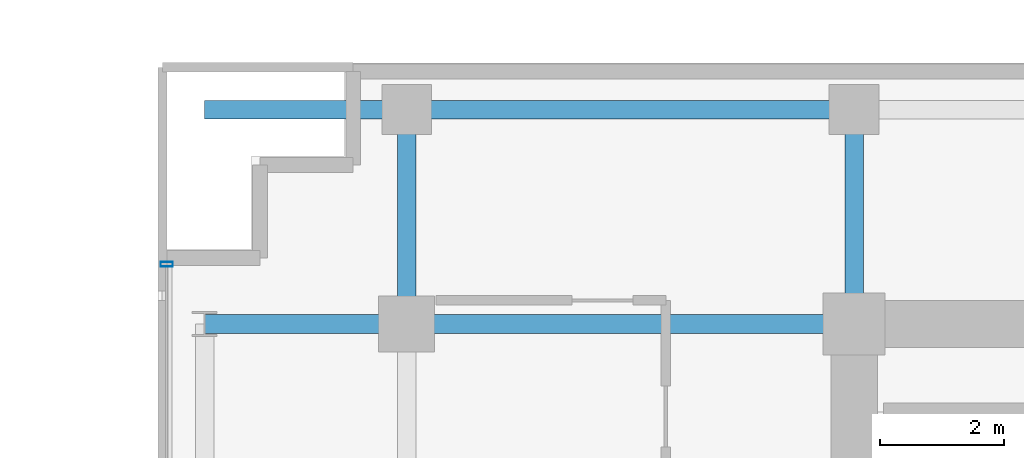
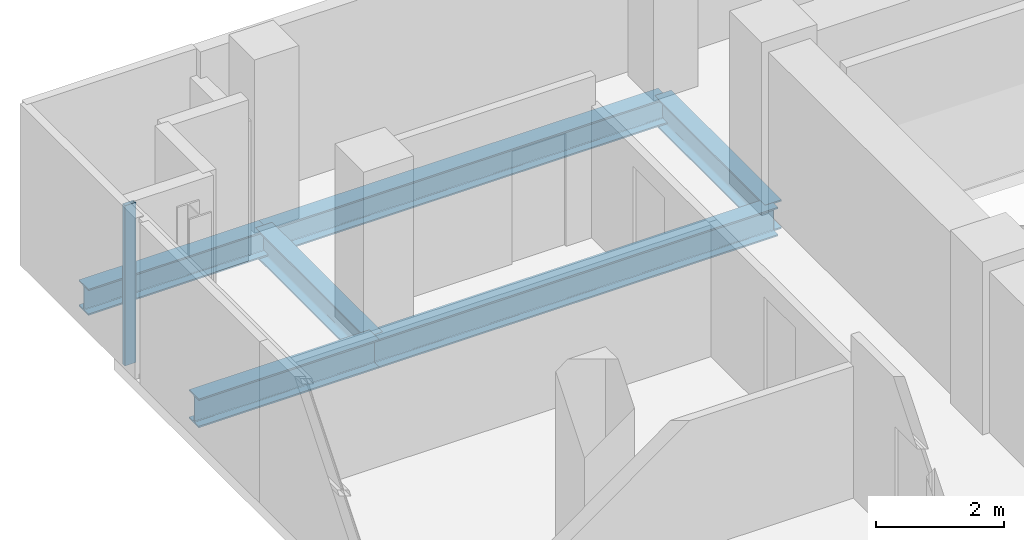
# One storey, part 10 of 23: 6 beams, 1 member, 1 element without a shape of its own.
"""IFC4 building model written with IfcOpenShell, lengths in metres."""

from ifc_helpers import new_model, si_unit, direction, frame, origin, origin_2d, place, context, subcontext, project, spatial, hollow_rectangle, i_section, extrude, source, transform, mapped, material, layer, layer_set, material_profile, profile_set, type_object, element, aggregate, save


model = new_model("IFC4")

# Units and contexts
model_context = context("Model", 3, precision=1e-05, world=origin(), true_north=direction((0.0, 1.0)))
body_context = subcontext(model_context, "Body", "Model", "MODEL_VIEW")
ifc_project = project(units=[si_unit("LENGTHUNIT", "METRE"), si_unit("AREAUNIT", "SQUARE_METRE"), si_unit("VOLUMEUNIT", "CUBIC_METRE"), si_unit("PLANEANGLEUNIT", "RADIAN"), si_unit("MASSUNIT", "GRAM", prefix="KILO")], contexts=[model_context])

# Site, building, storey
site_placement = place(None, origin())
site = spatial("IfcSite", under=ifc_project, at=site_placement, CompositionType="ELEMENT")
building_placement = place(site_placement, origin())
building = spatial("IfcBuilding", under=site, at=building_placement, Name="Zarnakvel Exchange Tower", CompositionType="ELEMENT")
storey_placement = place(building_placement, frame((0.0, 0.0, 116.5)))
storey = spatial("IfcBuildingStorey", under=building, at=storey_placement, Name="L32", CompositionType="ELEMENT", Elevation=116.5)

# Beams
ifc_material_1 = material(Name="Steel S355", Category="steel")
ifc_material_profile_1 = material_profile(ifc_material_1, i_section(OverallWidth=0.300048828125, OverallDepth=0.550048828125, WebThickness=0.014892578125, FlangeThickness=0.029052734375, FilletRadius=0.027099609375, at=origin_2d()))
ifc_profile_set_1 = profile_set([ifc_material_profile_1], Name="Steel S355")
beam_type_1 = type_object("IfcBeamType", Name="G-05", PredefinedType="BEAM", material=ifc_profile_set_1)
beam_1_placement = place(storey_placement, frame((-24.85009765625, 13.5, -0.5), z_axis=(1.0, 0.0, 0.0), x_axis=(0.0, 1.0, 0.0)))
element("IfcBeam", 1, at=beam_1_placement, inside=storey, type_object=beam_type_1, Name="L32 Tower E-W Frame Beam", PredefinedType="BEAM", context=body_context, shape_type="SweptSolid", body=[
    extrude(i_section(OverallWidth=0.300048828125, OverallDepth=0.550048828125, WebThickness=0.014892578125, FlangeThickness=0.029052734375, FilletRadius=0.027099609375, at=origin_2d()), origin(), (0.0, 0.0, 1.0), 3.25),
])
beam_2_placement = place(storey_placement, frame((-21.60009765625, 13.5, -0.5), z_axis=(1.0, 0.0, 0.0), x_axis=(0.0, 1.0, 0.0)))
element("IfcBeam", 2, at=beam_2_placement, inside=storey, type_object=beam_type_1, Name="L32 Tower E-W Frame Beam", PredefinedType="BEAM", context=body_context, shape_type="SweptSolid", body=[
    extrude(i_section(OverallWidth=0.300048828125, OverallDepth=0.550048828125, WebThickness=0.014892578125, FlangeThickness=0.029052734375, FilletRadius=0.027099609375, at=origin_2d()), origin(), (0.0, 0.0, 1.0), 7.2001953125),
])
for number, where, z_axis, x_axis, name in (
    (3, (-21.60009765625, 13.5, -0.5), (0.0, 1.0, 0.0), (-1.0, 0.0, 0.0), "L32 Tower N-S Frame Beam"),
    (4, (-14.39990234375, 13.5, -0.5), (0.0, 1.0, 0.0), (-1.0, 0.0, 0.0), "L32 Tower N-S Frame Beam"),
):
    element("IfcBeam", number, at=place(storey_placement, frame(where, z_axis=z_axis, x_axis=x_axis)), inside=storey, type_object=beam_type_1, Name=name, PredefinedType="BEAM", context=body_context, shape_type="SweptSolid", body=[
        extrude(i_section(OverallWidth=0.300048828125, OverallDepth=0.550048828125, WebThickness=0.014892578125, FlangeThickness=0.029052734375, FilletRadius=0.027099609375, at=origin_2d()), origin(), (0.0, 0.0, 1.0), 3.449951171875),
    ])
ifc_material_profile_2 = material_profile(ifc_material_1, i_section(OverallWidth=0.300048828125, OverallDepth=0.5, WebThickness=0.014404296875, FlangeThickness=0.028076171875, FilletRadius=0.027099609375, at=origin_2d()))
ifc_profile_set_2 = profile_set([ifc_material_profile_2], Name="Steel S355")
beam_type_2 = type_object("IfcBeamType", Name="SP-02", PredefinedType="SPANDREL", material=ifc_profile_set_2)
beam_3_placement = place(storey_placement, frame((-21.60009765625, 16.949951171875, -0.47509765625), z_axis=(1.0, 0.0, 0.0), x_axis=(0.0, 1.0, 0.0)))
element("IfcBeam", 5, at=beam_3_placement, inside=storey, type_object=beam_type_2, Name="L32 Tower E-W Frame Beam", PredefinedType="SPANDREL", context=body_context, shape_type="SweptSolid", body=[
    extrude(i_section(OverallWidth=0.300048828125, OverallDepth=0.5, WebThickness=0.014404296875, FlangeThickness=0.028076171875, FilletRadius=0.027099609375, at=origin_2d()), origin(), (0.0, 0.0, 1.0), 7.2001953125),
])
beam_4_placement = place(storey_placement, frame((-24.85009765625, 16.949951171875, -0.47509765625), z_axis=(1.0, 0.0, 0.0), x_axis=(0.0, 1.0, 0.0)))
element("IfcBeam", 6, at=beam_4_placement, inside=storey, type_object=beam_type_2, Name="L32 North-West Corner Spandrel", PredefinedType="SPANDREL", context=body_context, shape_type="SweptSolid", body=[
    extrude(i_section(OverallWidth=0.300048828125, OverallDepth=0.5, WebThickness=0.014404296875, FlangeThickness=0.028076171875, FilletRadius=0.027099609375, at=origin_2d()), origin(), (0.0, 0.0, 1.0), 3.25),
])

# Curtain wall, member
ifc_material_2 = material(Name="Architectural Bronze Anodised Aluminium", Category="aluminium")
ifc_layer = layer(ifc_material_2, 0.199951171875)
ifc_layer_set = layer_set([ifc_layer], Name="Architectural Bronze Anodised Aluminium")
curtain_wall_type = type_object("IfcCurtainWallType", Name="CW-04", PredefinedType="NOTDEFINED", material=ifc_layer_set)
curtain_wall_placement = place(storey_placement, origin())
curtain_wall = element("IfcCurtainWall", 7, at=curtain_wall_placement, inside=storey, type_object=curtain_wall_type, Name="L32 Curtain Wall CW-L32-WN (CW-04)", PredefinedType="NOTDEFINED")
ifc_material_profile_3 = material_profile(ifc_material_2, hollow_rectangle(XDim=0.199951171875, YDim=0.074951171875, WallThickness=0.0048828125, at=origin_2d()))
ifc_profile_set_3 = profile_set([ifc_material_profile_3], Name="Architectural Bronze Anodised Aluminium")
member_type = type_object("IfcMemberType", Name="CWM-04", PredefinedType="MULLION", material=ifc_profile_set_3)
shared_shape = source(origin(), body_context, "Body", "SweptSolid", [
    extrude(hollow_rectangle(XDim=0.199951171875, YDim=0.074951171875, WallThickness=0.0048828125, at=origin_2d()), origin(), (0.0, 0.0, 1.0), 3.054931640625),
])
member_placement = place(storey_placement, frame((-25.4599609375, 14.46240234375, 0.0), z_axis=(0.0, 0.0, 1.0), x_axis=(-1.0, 0.0, 0.0)))
member = element("IfcMember", 8, at=member_placement, type_object=member_type, Name="CW-04 mullion 3", PredefinedType="MULLION", context=body_context, shape_type="MappedRepresentation", body=[
    mapped(shared_shape, transform((0.0, 0.0, 0.0), x_axis=(1.0, 0.0, 0.0), y_axis=(0.0, 1.0, 0.0), z_axis=(0.0, 0.0, 1.0), scale=1.0)),
])
aggregate(curtain_wall, [member])

save(model, "model.ifc")
